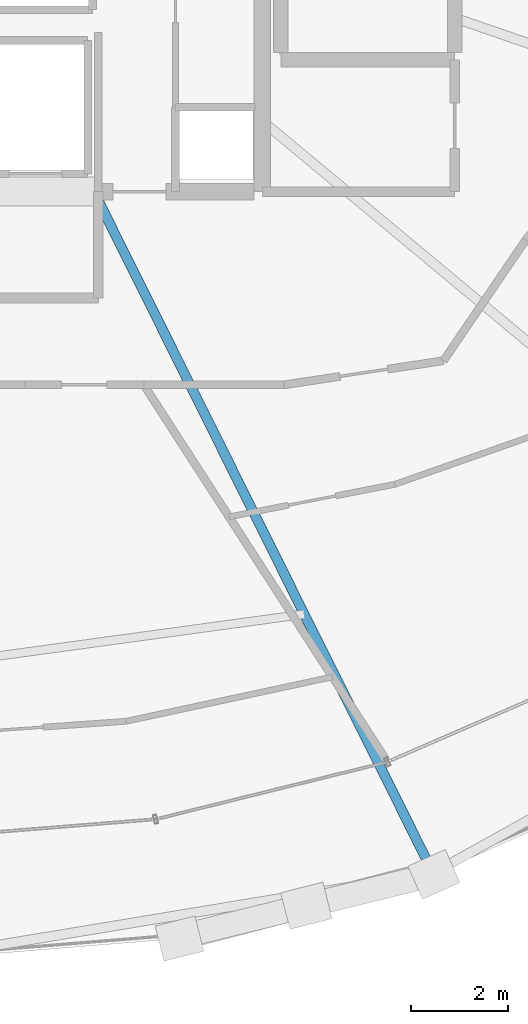
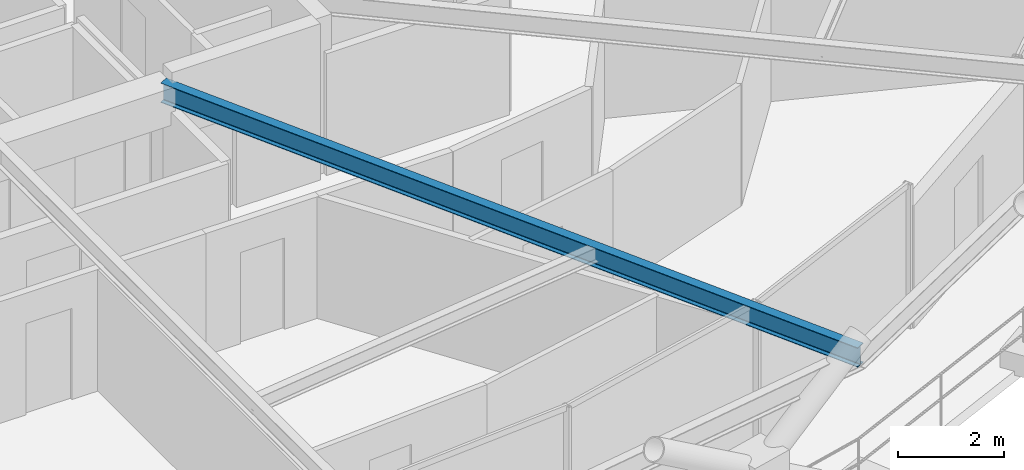
# One storey, part 6 of 19: 1 beam.
"""IFC4 building model written with IfcOpenShell, lengths in metres."""

import ifcopenshell
import ifcopenshell.guid

model = None  # the IFC model being written
_history = None  # IfcOwnerHistory: only IFC2X3 demands one
_inside = {}  # id of a spatial element -> (the spatial element, [elements in it])
_under = {}  # id of a project, library or spatial element -> (it, [spatial elements below it])
_declared = {}  # id of a project -> (the project, [libraries it declares])
_typed = {}  # id of a type object -> (the type object, [elements of that type])
_made_of = {}  # id of a material, layer set ... -> (it, [elements and type objects made of it])


def new_model(schema):
    """Start an empty IFC model of exactly this schema.

    Asked for "IFC4X3", IfcOpenShell would pick the latest addendum, in which some entities
    have other attributes; the version numbers below select the first issue.
    IFC2X3 requires an IfcOwnerHistory on every rooted entity: one is made here for all.
    """
    global model, _history
    if schema == "IFC4X3":
        model = ifcopenshell.file(schema_version=(4, 3, 0, 0))
    else:
        model = ifcopenshell.file(schema=schema)
    _inside.clear()
    _under.clear()
    _declared.clear()
    _typed.clear()
    _made_of.clear()
    _history = None
    if model.schema == "IFC2X3":
        org = make("IfcOrganization", Name="unknown")
        user = make(
            "IfcPersonAndOrganization",
            ThePerson=make("IfcPerson", FamilyName="unknown"),
            TheOrganization=org,
        )
        app = make(
            "IfcApplication",
            ApplicationDeveloper=org,
            Version="unknown",
            ApplicationFullName="unknown",
            ApplicationIdentifier="unknown",
        )
        _history = make(
            "IfcOwnerHistory",
            OwningUser=user,
            OwningApplication=app,
            ChangeAction="ADDED",
            CreationDate=0,
        )
    return model


def make(cls, **values):
    """One entity of the class cls with the attributes given. An attribute that is None is left unset."""
    return model.create_entity(
        cls, **{name: value for name, value in values.items() if value is not None}
    )


def rooted(cls, **values):
    """An entity with a GlobalId (a new one), such as an element, a storey or a relation."""
    return make(cls, GlobalId=ifcopenshell.guid.new(), OwnerHistory=_history, **values)


def si_unit(unit_type, name, prefix=None):
    """IfcSIUnit, for example si_unit("LENGTHUNIT", "METRE", prefix="MILLI")."""
    return make("IfcSIUnit", UnitType=unit_type, Prefix=prefix, Name=name)


def assignment(units):
    """IfcUnitAssignment: the units of a project."""
    return None if units is None else make("IfcUnitAssignment", Units=units)


def point(xyz):
    """IfcCartesianPoint."""
    return None if xyz is None else make("IfcCartesianPoint", Coordinates=xyz)


def direction(xyz):
    """IfcDirection."""
    return None if xyz is None else make("IfcDirection", DirectionRatios=xyz)


def frame(location, z_axis=None, x_axis=None):
    """IfcAxis2Placement3D, a coordinate frame: its origin and axes. An axis left out is left unset."""
    return make(
        "IfcAxis2Placement3D",
        Location=point(location),
        Axis=direction(z_axis),
        RefDirection=direction(x_axis),
    )


def frame_2d(location, x_axis=None):
    """IfcAxis2Placement2D, a coordinate frame in the plane: its origin and x axis."""
    return make(
        "IfcAxis2Placement2D", Location=point(location), RefDirection=direction(x_axis)
    )


def origin():
    """The frame at (0, 0, 0) with its axes left unset."""
    return frame((0.0, 0.0, 0.0))


def origin_2d():
    """The frame at (0, 0) in the plane with its x axis left unset."""
    return frame_2d((0.0, 0.0))


def place(relative_to, where):
    """IfcLocalPlacement: puts the frame where relative to a parent placement (None: the world)."""
    return make(
        "IfcLocalPlacement", PlacementRelTo=relative_to, RelativePlacement=where
    )


def context(
    kind, dimensions, precision=None, world=None, true_north=None, identifier=None
):
    """IfcGeometricRepresentationContext, for example the 3D "Model" context."""
    return make(
        "IfcGeometricRepresentationContext",
        ContextIdentifier=identifier,
        ContextType=kind,
        CoordinateSpaceDimension=dimensions,
        Precision=precision,
        WorldCoordinateSystem=world,
        TrueNorth=true_north,
    )


def subcontext(parent, identifier, kind, view, scale=None):
    """IfcGeometricRepresentationSubContext, for example "Body" below "Model"."""
    return make(
        "IfcGeometricRepresentationSubContext",
        ContextIdentifier=identifier,
        ContextType=kind,
        ParentContext=parent,
        TargetScale=scale,
        TargetView=view,
    )


def project(units=None, contexts=None):
    """IfcProject with its units and contexts."""
    return rooted(
        "IfcProject",
        Name="project",
        RepresentationContexts=contexts,
        UnitsInContext=assignment(units),
    )


def spatial(cls, under=None, at=None, **own):
    """A site, building, storey or space (cls), placed at a placement, below another one or the project."""
    s = rooted(cls, ObjectPlacement=at, **own)
    if under is not None:
        _under.setdefault(under.id(), (under, []))[1].append(s)
    return s


def profile(cls, at=None, kind="AREA", **sizes):
    """A parametric profile (cls). Its sizes go by their IFC names, for example OverallWidth=200.0."""
    return make(cls, ProfileType=kind, Position=at, **sizes)


def i_section(**sizes):
    """IfcIShapeProfileDef."""
    return profile("IfcIShapeProfileDef", **sizes)


def extrude(swept, where, along, depth):
    """IfcExtrudedAreaSolid: the profile swept, set in the frame where, extruded along a direction by depth."""
    return make(
        "IfcExtrudedAreaSolid",
        SweptArea=swept,
        Position=where,
        ExtrudedDirection=direction(along),
        Depth=depth,
    )


def shape(context_of_items, identifier, shape_type, items):
    """IfcShapeRepresentation: the items that make up one representation, for example the "Body"."""
    return make(
        "IfcShapeRepresentation",
        ContextOfItems=context_of_items,
        RepresentationIdentifier=identifier,
        RepresentationType=shape_type,
        Items=items,
    )


def material(Name=None, Category=None):
    """IfcMaterial."""
    return make("IfcMaterial", Name=Name, Category=Category)


def material_profile(
    of_material, cross_section, Name=None, Category=None, Priority=None
):
    """IfcMaterialProfile: a cross section and its material."""
    return make(
        "IfcMaterialProfile",
        Name=Name,
        Material=of_material,
        Profile=cross_section,
        Priority=Priority,
        Category=Category,
    )


def profile_set(profiles, Name=None, composite=None):
    """IfcMaterialProfileSet."""
    return make(
        "IfcMaterialProfileSet",
        Name=Name,
        MaterialProfiles=profiles,
        CompositeProfile=composite,
    )


def made_of(thing, what):
    """Note that an element or type object is made of a material, layer set ...; save() writes the relation."""
    if what is not None:
        _made_of.setdefault(what.id(), (what, []))[1].append(thing)
    return thing


def type_object(cls, material=None, **own):
    """A type object (cls), such as IfcWallType, which elements share."""
    return made_of(rooted(cls, **own), material)


def element(
    cls,
    number,
    at=None,
    inside=None,
    cuts=None,
    type_object=None,
    material=None,
    context=None,
    identifier="Body",
    shape_type=None,
    held_by="IfcProductDefinitionShape",
    body=None,
    shapes=None,
    **own,
):
    """One element of the class cls, such as IfcWall. Its Tag is "e" and its number.

    at: its placement. inside: the storey or other place that contains it. cuts: it is an
    opening in that element (IfcRelVoidsElement). A single representation is given by context,
    identifier, shape_type and body (its items); several are given by shapes. held_by: the class
    of the entity that holds the representations. save() writes the other relations.
    """
    e = rooted(cls, Tag="e%d" % number, ObjectPlacement=at, **own)
    if body is not None:
        shapes = [shape(context, identifier, shape_type, body)]
    if shapes is not None:
        e.Representation = make(held_by, Representations=shapes)
    if inside is not None:
        _inside.setdefault(inside.id(), (inside, []))[1].append(e)
    if cuts is not None:
        rooted(
            "IfcRelVoidsElement", RelatingBuildingElement=cuts, RelatedOpeningElement=e
        )
    if type_object is not None:
        _typed.setdefault(type_object.id(), (type_object, []))[1].append(e)
    return made_of(e, material)


def aggregate(whole, parts):
    """IfcRelAggregates: a whole, such as a stair, and the parts it consists of."""
    return rooted("IfcRelAggregates", RelatingObject=whole, RelatedObjects=parts)


def save(model, path):
    """Write the relations noted so far, then the file.

    IfcRelAggregates (storeys below a building ...), IfcRelContainedInSpatialStructure (elements
    in a storey), IfcRelDefinesByType, IfcRelAssociatesMaterial and IfcRelDeclares: one each for
    every whole, place, type object, material and project.
    """
    for whole, parts in _under.values():
        aggregate(whole, parts)
    for where, things in _inside.values():
        rooted(
            "IfcRelContainedInSpatialStructure",
            RelatedElements=things,
            RelatingStructure=where,
        )
    for kind, things in _typed.values():
        rooted("IfcRelDefinesByType", RelatedObjects=things, RelatingType=kind)
    for what, things in _made_of.values():
        rooted("IfcRelAssociatesMaterial", RelatedObjects=things, RelatingMaterial=what)
    for by, libraries in _declared.values():
        rooted("IfcRelDeclares", RelatingContext=by, RelatedDefinitions=libraries)
    model.write(path)


model = new_model("IFC4")

# Units and contexts
model_context = context("Model", 3, precision=1e-05, world=origin(), true_north=direction((0.0, 1.0)))
body_context = subcontext(model_context, "Body", "Model", "MODEL_VIEW")
ifc_project = project(units=[si_unit("LENGTHUNIT", "METRE"), si_unit("AREAUNIT", "SQUARE_METRE"), si_unit("VOLUMEUNIT", "CUBIC_METRE"), si_unit("PLANEANGLEUNIT", "RADIAN"), si_unit("MASSUNIT", "GRAM", prefix="KILO")], contexts=[model_context])

# Site, building, storey
site_placement = place(None, origin())
site = spatial("IfcSite", under=ifc_project, at=site_placement, CompositionType="ELEMENT")
building_placement = place(site_placement, origin())
building = spatial("IfcBuilding", under=site, at=building_placement, Name="Veldorina Hangang Commons", CompositionType="ELEMENT")
storey_placement = place(building_placement, frame((0.0, 0.0, 167.60009765625)))
storey = spatial("IfcBuildingStorey", under=building, at=storey_placement, Name="L43", CompositionType="ELEMENT", Elevation=167.60009765625)

# Beam
ifc_material = material(Name="Steel SM355-TMC", Category="steel")
ifc_material_profile = material_profile(ifc_material, i_section(OverallWidth=0.199951171875, OverallDepth=0.449951171875, WebThickness=0.009033203125, FlangeThickness=0.013916015625, FilletRadius=0.01611328125, at=origin_2d()), Name="H-450x200x9x14")
ifc_profile_set = profile_set([ifc_material_profile], Name="Steel SM355-TMC")
beam_type = type_object("IfcBeamType", Name="BM-FG450", PredefinedType="BEAM", material=ifc_profile_set)
beam_placement = place(storey_placement, frame((35.70947265625, 16.550048828125, 3.125), z_axis=(0.445720011788, -0.895172425342, 0.0), x_axis=(0.895172425342, 0.445720011788, 0.0)))
element("IfcBeam", 1, at=beam_placement, inside=storey, type_object=beam_type, Name="L43 radial floor girder 14", PredefinedType="BEAM", context=body_context, shape_type="SweptSolid", body=[
    extrude(i_section(OverallWidth=0.199951171875, OverallDepth=0.449951171875, WebThickness=0.009033203125, FlangeThickness=0.013916015625, FilletRadius=0.01611328125, at=origin_2d()), origin(), (0.0, 0.0, 1.0), 15.76416015625),
])

save(model, "model.ifc")
